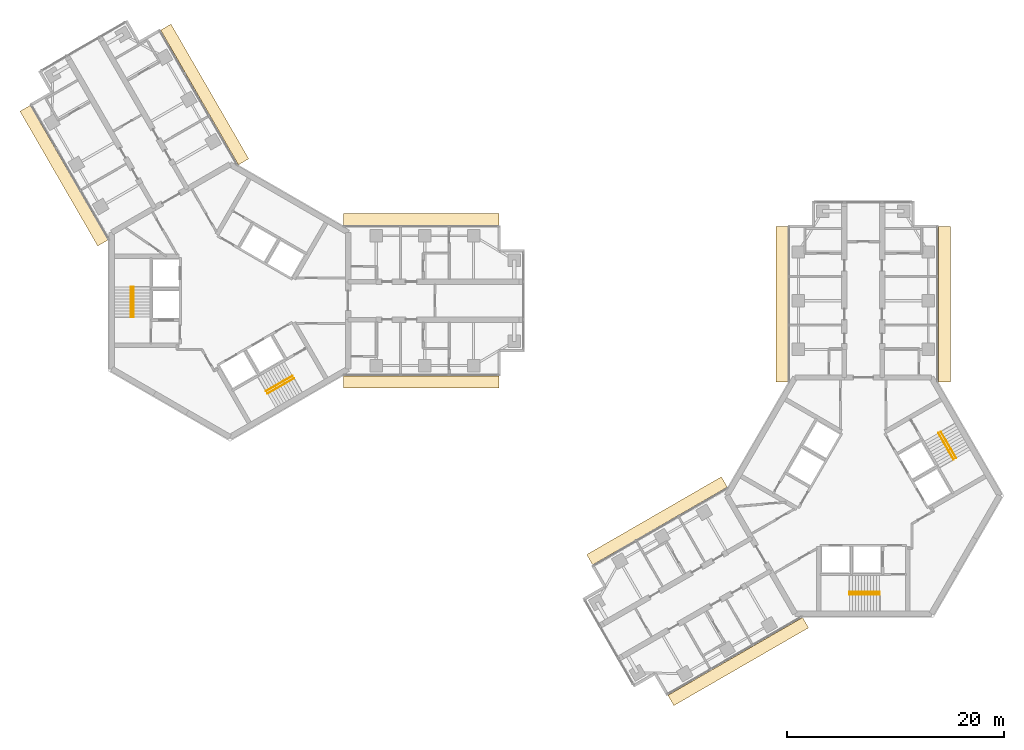
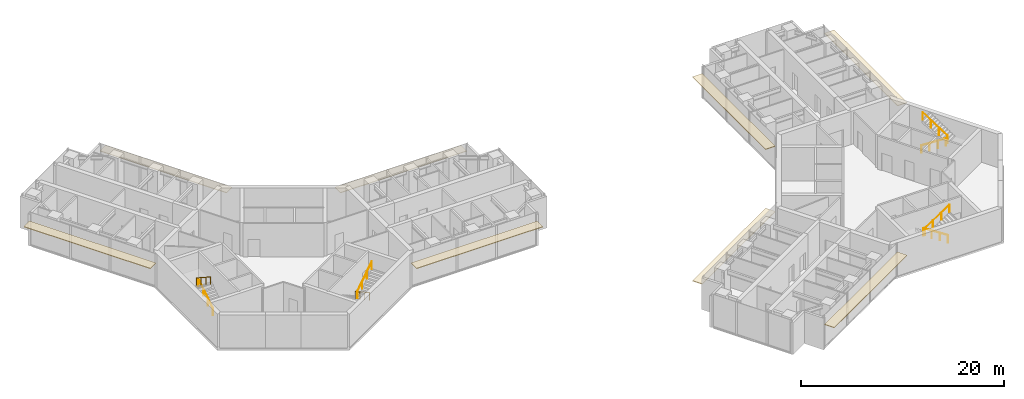
# One storey, part 17 of 17: 8 coverings, 8 railings.
"""IFC4 building model written with IfcOpenShell, lengths in metres."""

import ifcopenshell
import ifcopenshell.guid

model = None  # the IFC model being written
_history = None  # IfcOwnerHistory: only IFC2X3 demands one
_inside = {}  # id of a spatial element -> (the spatial element, [elements in it])
_under = {}  # id of a project, library or spatial element -> (it, [spatial elements below it])
_declared = {}  # id of a project -> (the project, [libraries it declares])
_typed = {}  # id of a type object -> (the type object, [elements of that type])
_made_of = {}  # id of a material, layer set ... -> (it, [elements and type objects made of it])


def new_model(schema):
    """Start an empty IFC model of exactly this schema.

    Asked for "IFC4X3", IfcOpenShell would pick the latest addendum, in which some entities
    have other attributes; the version numbers below select the first issue.
    IFC2X3 requires an IfcOwnerHistory on every rooted entity: one is made here for all.
    """
    global model, _history
    if schema == "IFC4X3":
        model = ifcopenshell.file(schema_version=(4, 3, 0, 0))
    else:
        model = ifcopenshell.file(schema=schema)
    _inside.clear()
    _under.clear()
    _declared.clear()
    _typed.clear()
    _made_of.clear()
    _history = None
    if model.schema == "IFC2X3":
        org = make("IfcOrganization", Name="unknown")
        user = make(
            "IfcPersonAndOrganization",
            ThePerson=make("IfcPerson", FamilyName="unknown"),
            TheOrganization=org,
        )
        app = make(
            "IfcApplication",
            ApplicationDeveloper=org,
            Version="unknown",
            ApplicationFullName="unknown",
            ApplicationIdentifier="unknown",
        )
        _history = make(
            "IfcOwnerHistory",
            OwningUser=user,
            OwningApplication=app,
            ChangeAction="ADDED",
            CreationDate=0,
        )
    return model


def make(cls, **values):
    """One entity of the class cls with the attributes given. An attribute that is None is left unset."""
    return model.create_entity(
        cls, **{name: value for name, value in values.items() if value is not None}
    )


def rooted(cls, **values):
    """An entity with a GlobalId (a new one), such as an element, a storey or a relation."""
    return make(cls, GlobalId=ifcopenshell.guid.new(), OwnerHistory=_history, **values)


def si_unit(unit_type, name, prefix=None):
    """IfcSIUnit, for example si_unit("LENGTHUNIT", "METRE", prefix="MILLI")."""
    return make("IfcSIUnit", UnitType=unit_type, Prefix=prefix, Name=name)


def assignment(units):
    """IfcUnitAssignment: the units of a project."""
    return None if units is None else make("IfcUnitAssignment", Units=units)


def point(xyz):
    """IfcCartesianPoint."""
    return None if xyz is None else make("IfcCartesianPoint", Coordinates=xyz)


def direction(xyz):
    """IfcDirection."""
    return None if xyz is None else make("IfcDirection", DirectionRatios=xyz)


def frame(location, z_axis=None, x_axis=None):
    """IfcAxis2Placement3D, a coordinate frame: its origin and axes. An axis left out is left unset."""
    return make(
        "IfcAxis2Placement3D",
        Location=point(location),
        Axis=direction(z_axis),
        RefDirection=direction(x_axis),
    )


def frame_2d(location, x_axis=None):
    """IfcAxis2Placement2D, a coordinate frame in the plane: its origin and x axis."""
    return make(
        "IfcAxis2Placement2D", Location=point(location), RefDirection=direction(x_axis)
    )


def origin():
    """The frame at (0, 0, 0) with its axes left unset."""
    return frame((0.0, 0.0, 0.0))


def origin_2d():
    """The frame at (0, 0) in the plane with its x axis left unset."""
    return frame_2d((0.0, 0.0))


def place(relative_to, where):
    """IfcLocalPlacement: puts the frame where relative to a parent placement (None: the world)."""
    return make(
        "IfcLocalPlacement", PlacementRelTo=relative_to, RelativePlacement=where
    )


def context(
    kind, dimensions, precision=None, world=None, true_north=None, identifier=None
):
    """IfcGeometricRepresentationContext, for example the 3D "Model" context."""
    return make(
        "IfcGeometricRepresentationContext",
        ContextIdentifier=identifier,
        ContextType=kind,
        CoordinateSpaceDimension=dimensions,
        Precision=precision,
        WorldCoordinateSystem=world,
        TrueNorth=true_north,
    )


def subcontext(parent, identifier, kind, view, scale=None):
    """IfcGeometricRepresentationSubContext, for example "Body" below "Model"."""
    return make(
        "IfcGeometricRepresentationSubContext",
        ContextIdentifier=identifier,
        ContextType=kind,
        ParentContext=parent,
        TargetScale=scale,
        TargetView=view,
    )


def project(units=None, contexts=None):
    """IfcProject with its units and contexts."""
    return rooted(
        "IfcProject",
        Name="project",
        RepresentationContexts=contexts,
        UnitsInContext=assignment(units),
    )


def spatial(cls, under=None, at=None, **own):
    """A site, building, storey or space (cls), placed at a placement, below another one or the project."""
    s = rooted(cls, ObjectPlacement=at, **own)
    if under is not None:
        _under.setdefault(under.id(), (under, []))[1].append(s)
    return s


def profile(cls, at=None, kind="AREA", **sizes):
    """A parametric profile (cls). Its sizes go by their IFC names, for example OverallWidth=200.0."""
    return make(cls, ProfileType=kind, Position=at, **sizes)


def rectangle(**sizes):
    """IfcRectangleProfileDef."""
    return profile("IfcRectangleProfileDef", **sizes)


def circle(**sizes):
    """IfcCircleProfileDef."""
    return profile("IfcCircleProfileDef", **sizes)


def extrude(swept, where, along, depth):
    """IfcExtrudedAreaSolid: the profile swept, set in the frame where, extruded along a direction by depth."""
    return make(
        "IfcExtrudedAreaSolid",
        SweptArea=swept,
        Position=where,
        ExtrudedDirection=direction(along),
        Depth=depth,
    )


def shape(context_of_items, identifier, shape_type, items):
    """IfcShapeRepresentation: the items that make up one representation, for example the "Body"."""
    return make(
        "IfcShapeRepresentation",
        ContextOfItems=context_of_items,
        RepresentationIdentifier=identifier,
        RepresentationType=shape_type,
        Items=items,
    )


def material(Name=None, Category=None):
    """IfcMaterial."""
    return make("IfcMaterial", Name=Name, Category=Category)


def layer(
    of_material, thickness, ventilated=None, Name=None, Category=None, Priority=None
):
    """IfcMaterialLayer: one layer of a wall or slab, of a material (None: an air gap)."""
    return make(
        "IfcMaterialLayer",
        Material=of_material,
        LayerThickness=thickness,
        IsVentilated=ventilated,
        Name=Name,
        Category=Category,
        Priority=Priority,
    )


def layer_set(layers, Name=None):
    """IfcMaterialLayerSet."""
    return make("IfcMaterialLayerSet", MaterialLayers=layers, LayerSetName=Name)


def made_of(thing, what):
    """Note that an element or type object is made of a material, layer set ...; save() writes the relation."""
    if what is not None:
        _made_of.setdefault(what.id(), (what, []))[1].append(thing)
    return thing


def type_object(cls, material=None, **own):
    """A type object (cls), such as IfcWallType, which elements share."""
    return made_of(rooted(cls, **own), material)


def element(
    cls,
    number,
    at=None,
    inside=None,
    cuts=None,
    type_object=None,
    material=None,
    context=None,
    identifier="Body",
    shape_type=None,
    held_by="IfcProductDefinitionShape",
    body=None,
    shapes=None,
    **own,
):
    """One element of the class cls, such as IfcWall. Its Tag is "e" and its number.

    at: its placement. inside: the storey or other place that contains it. cuts: it is an
    opening in that element (IfcRelVoidsElement). A single representation is given by context,
    identifier, shape_type and body (its items); several are given by shapes. held_by: the class
    of the entity that holds the representations. save() writes the other relations.
    """
    e = rooted(cls, Tag="e%d" % number, ObjectPlacement=at, **own)
    if body is not None:
        shapes = [shape(context, identifier, shape_type, body)]
    if shapes is not None:
        e.Representation = make(held_by, Representations=shapes)
    if inside is not None:
        _inside.setdefault(inside.id(), (inside, []))[1].append(e)
    if cuts is not None:
        rooted(
            "IfcRelVoidsElement", RelatingBuildingElement=cuts, RelatedOpeningElement=e
        )
    if type_object is not None:
        _typed.setdefault(type_object.id(), (type_object, []))[1].append(e)
    return made_of(e, material)


def aggregate(whole, parts):
    """IfcRelAggregates: a whole, such as a stair, and the parts it consists of."""
    return rooted("IfcRelAggregates", RelatingObject=whole, RelatedObjects=parts)


def save(model, path):
    """Write the relations noted so far, then the file.

    IfcRelAggregates (storeys below a building ...), IfcRelContainedInSpatialStructure (elements
    in a storey), IfcRelDefinesByType, IfcRelAssociatesMaterial and IfcRelDeclares: one each for
    every whole, place, type object, material and project.
    """
    for whole, parts in _under.values():
        aggregate(whole, parts)
    for where, things in _inside.values():
        rooted(
            "IfcRelContainedInSpatialStructure",
            RelatedElements=things,
            RelatingStructure=where,
        )
    for kind, things in _typed.values():
        rooted("IfcRelDefinesByType", RelatedObjects=things, RelatingType=kind)
    for what, things in _made_of.values():
        rooted("IfcRelAssociatesMaterial", RelatedObjects=things, RelatingMaterial=what)
    for by, libraries in _declared.values():
        rooted("IfcRelDeclares", RelatingContext=by, RelatedDefinitions=libraries)
    model.write(path)


model = new_model("IFC4")

# Units and contexts
model_context = context("Model", 3, precision=1e-05, world=origin(), true_north=direction((0.0, 1.0)))
body_context = subcontext(model_context, "Body", "Model", "MODEL_VIEW")
ifc_project = project(units=[si_unit("LENGTHUNIT", "METRE"), si_unit("AREAUNIT", "SQUARE_METRE"), si_unit("VOLUMEUNIT", "CUBIC_METRE"), si_unit("PLANEANGLEUNIT", "RADIAN"), si_unit("MASSUNIT", "GRAM", prefix="KILO")], contexts=[model_context])

# Site, building, storey
site_placement = place(None, origin())
site = spatial("IfcSite", under=ifc_project, at=site_placement, CompositionType="ELEMENT")
building_placement = place(site_placement, origin())
building = spatial("IfcBuilding", under=site, at=building_placement, Name="Upepo Twin Towers", CompositionType="ELEMENT")
storey_placement = place(building_placement, frame((0.0, 0.0, 214.5)))
storey = spatial("IfcBuildingStorey", under=building, at=storey_placement, Name="L52", CompositionType="ELEMENT", Elevation=214.5)

# Coverings
ifc_material_1 = material(Name="Anodised aluminium, pale silver", Category="aluminium")
ifc_layer = layer(ifc_material_1, 0.080078125)
ifc_layer_set = layer_set([ifc_layer], Name="Brise-soleil blade 1100 pale aluminium")
covering_type = type_object("IfcCoveringType", Name="Brise-soleil blade 1100 pale aluminium", PredefinedType="USERDEFINED", material=ifc_layer_set)
for number, where, z_axis, x_axis, name in (
    (1, (17.66845703125, 7.50244140625, 2.909912109375), (0.0, 0.0, 1.0), (1.0, 0.0, 0.0), "T1 L52 wing A brise-soleil L"),
    (2, (17.66845703125, -7.50244140625, 2.909912109375), (0.0, 0.0, 1.0), (1.0, 0.0, 0.0), "T1 L52 wing A brise-soleil R"),
    (3, (-15.33154296875, 11.550048828125, 2.909912109375), (0.0, 0.0, 1.0), (-0.50000003023, 0.866025386331, 0.0), "T1 L52 wing B brise-soleil L"),
    (4, (-2.3369140625, 19.052734375, 2.909912109375), (0.0, 0.0, 1.0), (-0.49999996977, 0.866025421238, 0.0), "T1 L52 wing B brise-soleil R"),
    (5, (50.99755859375, -0.33154296875, 2.909912109375), (0.0, 0.0, 1.0), (0.0, 1.0, 0.0), "T2 L52 wing A brise-soleil L"),
    (6, (66.00244140625, -0.33154296875, 2.909912109375), (0.0, 0.0, 1.0), (0.0, 1.0, 0.0), "T2 L52 wing A brise-soleil R"),
    (7, (46.949951171875, -33.33154296875, 2.909912109375), (0.0, 0.0, 1.0), (-0.866025386331, -0.50000003023, 0.0), "T2 L52 wing B brise-soleil L"),
    (8, (39.447265625, -20.3369140625, 2.909912109375), (0.0, 0.0, 1.0), (-0.866025421238, -0.49999996977, 0.0), "T2 L52 wing B brise-soleil R"),
):
    element("IfcCovering", number, at=place(storey_placement, frame(where, z_axis=z_axis, x_axis=x_axis)), inside=storey, type_object=covering_type, Name=name, ObjectType="SUNSHADE", PredefinedType="USERDEFINED", context=body_context, shape_type="SweptSolid", body=[
        extrude(rectangle(XDim=14.36279296875, YDim=1.10009765625, at=origin_2d()), origin(), (0.0, 0.0, 1.0), 0.080078125),
    ])

# Railings
ifc_material_2 = material(Name="Stainless steel", Category="steel")
railing_type = type_object("IfcRailingType", Name="Stair handrail 900", PredefinedType="HANDRAIL", material=ifc_material_2)
railing_1_placement = place(storey_placement, frame((-8.89990234375, -1.52001953125, 0.181884765625)))
element("IfcRailing", 9, at=railing_1_placement, inside=storey, type_object=railing_type, Name="T1 stair S1 L52 handrail 1", PredefinedType="HANDRAIL", context=body_context, shape_type="SweptSolid", body=[
    extrude(circle(Radius=0.02392578125, at=origin_2d()), frame((0.0, 0.0, 0.8759765625), z_axis=(0.0, 0.838705829183, 0.544584733623), x_axis=(-1.0, 0.0, 0.0)), (0.0, 0.0, 1.0), 3.338623046875),
    extrude(circle(Radius=0.02099609375, at=origin_2d()), origin(), (0.0, 0.0, 1.0), 0.851806640625),
    extrude(circle(Radius=0.02099609375, at=origin_2d()), frame((0.0, 0.933349609375, 0.60595703125)), (0.0, 0.0, 1.0), 0.851806640625),
    extrude(circle(Radius=0.02099609375, at=origin_2d()), frame((0.0, 1.86669921875, 1.212158203125)), (0.0, 0.0, 1.0), 0.851806640625),
    extrude(circle(Radius=0.02099609375, at=origin_2d()), frame((0.0, 2.800048828125, 1.818115234375)), (0.0, 0.0, 1.0), 0.851806640625),
])
railing_2_placement = place(storey_placement, frame((-9.158447265625, 1.280029296875, 2.181884765625)))
element("IfcRailing", 10, at=railing_2_placement, inside=storey, type_object=railing_type, Name="T1 stair S1 L52 handrail 2", PredefinedType="HANDRAIL", context=body_context, shape_type="SweptSolid", body=[
    extrude(circle(Radius=0.02392578125, at=origin_2d()), frame((0.0, 0.0, 0.8759765625), z_axis=(0.0, -0.838705829183, 0.544584733623), x_axis=(1.0, 0.0, 0.0)), (0.0, 0.0, 1.0), 3.338623046875),
    extrude(circle(Radius=0.02099609375, at=origin_2d()), origin(), (0.0, 0.0, 1.0), 0.851806640625),
    extrude(circle(Radius=0.02099609375, at=origin_2d()), frame((0.0, -0.933349609375, 0.60595703125)), (0.0, 0.0, 1.0), 0.851806640625),
    extrude(circle(Radius=0.02099609375, at=origin_2d()), frame((0.0, -1.86669921875, 1.212158203125)), (0.0, 0.0, 1.0), 0.851806640625),
    extrude(circle(Radius=0.02099609375, at=origin_2d()), frame((0.0, -2.800048828125, 1.818115234375)), (0.0, 0.0, 1.0), 0.851806640625),
])
railing_3_placement = place(storey_placement, frame((5.766357421875, -6.947509765625, 0.181884765625)))
element("IfcRailing", 11, at=railing_3_placement, inside=storey, type_object=railing_type, Name="T1 stair S2 L52 handrail 1", PredefinedType="HANDRAIL", context=body_context, shape_type="SweptSolid", body=[
    extrude(circle(Radius=0.02392578125, at=origin_2d()), frame((0.0, 0.0, 0.8759765625), z_axis=(-0.726314030065, -0.419392968428, 0.544589265193), x_axis=(0.500049511043, -0.865996816683, 0.0)), (0.0, 0.0, 1.0), 3.338623046875),
    extrude(circle(Radius=0.02099609375, at=origin_2d()), origin(), (0.0, 0.0, 1.0), 0.851806640625),
    extrude(circle(Radius=0.02099609375, at=origin_2d()), frame((-0.808349609375, -0.466796875, 0.60595703125)), (0.0, 0.0, 1.0), 0.851806640625),
    extrude(circle(Radius=0.02099609375, at=origin_2d()), frame((-1.616455078125, -0.933349609375, 1.212158203125)), (0.0, 0.0, 1.0), 0.851806640625),
    extrude(circle(Radius=0.02099609375, at=origin_2d()), frame((-2.4248046875, -1.400146484375, 1.818115234375)), (0.0, 0.0, 1.0), 0.851806640625),
])
railing_4_placement = place(storey_placement, frame((3.470703125, -8.5712890625, 2.181884765625)))
element("IfcRailing", 12, at=railing_4_placement, inside=storey, type_object=railing_type, Name="T1 stair S2 L52 handrail 2", PredefinedType="HANDRAIL", context=body_context, shape_type="SweptSolid", body=[
    extrude(circle(Radius=0.02392578125, at=origin_2d()), frame((0.0, 0.0, 0.8759765625), z_axis=(0.726336304947, 0.419332699614, 0.544605966869), x_axis=(-0.49998411664, 0.866034573852, 0.0)), (0.0, 0.0, 1.0), 3.33837890625),
    extrude(circle(Radius=0.02099609375, at=origin_2d()), origin(), (0.0, 0.0, 1.0), 0.851806640625),
    extrude(circle(Radius=0.02099609375, at=origin_2d()), frame((0.808349609375, 0.466552734375, 0.60595703125)), (0.0, 0.0, 1.0), 0.851806640625),
    extrude(circle(Radius=0.02099609375, at=origin_2d()), frame((1.616455078125, 0.933349609375, 1.212158203125)), (0.0, 0.0, 1.0), 0.851806640625),
    extrude(circle(Radius=0.02099609375, at=origin_2d()), frame((2.4248046875, 1.39990234375, 1.818115234375)), (0.0, 0.0, 1.0), 0.851806640625),
])
railing_5_placement = place(storey_placement, frame((60.02001953125, -26.89990234375, 0.181884765625)))
element("IfcRailing", 13, at=railing_5_placement, inside=storey, type_object=railing_type, Name="T2 stair S1 L52 handrail 1", PredefinedType="HANDRAIL", context=body_context, shape_type="SweptSolid", body=[
    extrude(circle(Radius=0.02392578125, at=origin_2d()), frame((0.0, 0.0, 0.8759765625), z_axis=(-0.838705829183, 0.0, 0.544584733623), x_axis=(0.0, -1.0, 0.0)), (0.0, 0.0, 1.0), 3.338623046875),
    extrude(circle(Radius=0.02099609375, at=origin_2d()), origin(), (0.0, 0.0, 1.0), 0.851806640625),
    extrude(circle(Radius=0.02099609375, at=origin_2d()), frame((-0.933349609375, 0.0, 0.60595703125)), (0.0, 0.0, 1.0), 0.851806640625),
    extrude(circle(Radius=0.02099609375, at=origin_2d()), frame((-1.86669921875, 0.0, 1.212158203125)), (0.0, 0.0, 1.0), 0.851806640625),
    extrude(circle(Radius=0.02099609375, at=origin_2d()), frame((-2.800048828125, 0.0, 1.818115234375)), (0.0, 0.0, 1.0), 0.851806640625),
])
railing_6_placement = place(storey_placement, frame((57.219970703125, -27.158447265625, 2.181884765625)))
element("IfcRailing", 14, at=railing_6_placement, inside=storey, type_object=railing_type, Name="T2 stair S1 L52 handrail 2", PredefinedType="HANDRAIL", context=body_context, shape_type="SweptSolid", body=[
    extrude(circle(Radius=0.02392578125, at=origin_2d()), frame((0.0, 0.0, 0.8759765625), z_axis=(0.838705829183, 0.0, 0.544584733623), x_axis=(0.0, 1.0, 0.0)), (0.0, 0.0, 1.0), 3.338623046875),
    extrude(circle(Radius=0.02099609375, at=origin_2d()), origin(), (0.0, 0.0, 1.0), 0.851806640625),
    extrude(circle(Radius=0.02099609375, at=origin_2d()), frame((0.933349609375, 0.0, 0.60595703125)), (0.0, 0.0, 1.0), 0.851806640625),
    extrude(circle(Radius=0.02099609375, at=origin_2d()), frame((1.86669921875, 0.0, 1.212158203125)), (0.0, 0.0, 1.0), 0.851806640625),
    extrude(circle(Radius=0.02099609375, at=origin_2d()), frame((2.800048828125, 0.0, 1.818115234375)), (0.0, 0.0, 1.0), 0.851806640625),
])
railing_7_placement = place(storey_placement, frame((65.447509765625, -12.233642578125, 0.181884765625)))
element("IfcRailing", 15, at=railing_7_placement, inside=storey, type_object=railing_type, Name="T2 stair S2 L52 handrail 1", PredefinedType="HANDRAIL", context=body_context, shape_type="SweptSolid", body=[
    extrude(circle(Radius=0.02392578125, at=origin_2d()), frame((0.0, 0.0, 0.8759765625), z_axis=(0.419392968428, -0.726314030065, 0.544589265193), x_axis=(0.865996816683, 0.500049511043, 0.0)), (0.0, 0.0, 1.0), 3.338623046875),
    extrude(circle(Radius=0.02099609375, at=origin_2d()), origin(), (0.0, 0.0, 1.0), 0.851806640625),
    extrude(circle(Radius=0.02099609375, at=origin_2d()), frame((0.466796875, -0.808349609375, 0.60595703125)), (0.0, 0.0, 1.0), 0.851806640625),
    extrude(circle(Radius=0.02099609375, at=origin_2d()), frame((0.933349609375, -1.616455078125, 1.212158203125)), (0.0, 0.0, 1.0), 0.851806640625),
    extrude(circle(Radius=0.02099609375, at=origin_2d()), frame((1.400146484375, -2.4248046875, 1.818115234375)), (0.0, 0.0, 1.0), 0.851806640625),
])
railing_8_placement = place(storey_placement, frame((67.0712890625, -14.529296875, 2.181884765625)))
element("IfcRailing", 16, at=railing_8_placement, inside=storey, type_object=railing_type, Name="T2 stair S2 L52 handrail 2", PredefinedType="HANDRAIL", context=body_context, shape_type="SweptSolid", body=[
    extrude(circle(Radius=0.02392578125, at=origin_2d()), frame((0.0, 0.0, 0.8759765625), z_axis=(-0.419332699614, 0.726336304947, 0.544605966869), x_axis=(-0.866034573852, -0.49998411664, 0.0)), (0.0, 0.0, 1.0), 3.33837890625),
    extrude(circle(Radius=0.02099609375, at=origin_2d()), origin(), (0.0, 0.0, 1.0), 0.851806640625),
    extrude(circle(Radius=0.02099609375, at=origin_2d()), frame((-0.466552734375, 0.808349609375, 0.60595703125)), (0.0, 0.0, 1.0), 0.851806640625),
    extrude(circle(Radius=0.02099609375, at=origin_2d()), frame((-0.933349609375, 1.616455078125, 1.212158203125)), (0.0, 0.0, 1.0), 0.851806640625),
    extrude(circle(Radius=0.02099609375, at=origin_2d()), frame((-1.39990234375, 2.4248046875, 1.818115234375)), (0.0, 0.0, 1.0), 0.851806640625),
])

save(model, "model.ifc")
